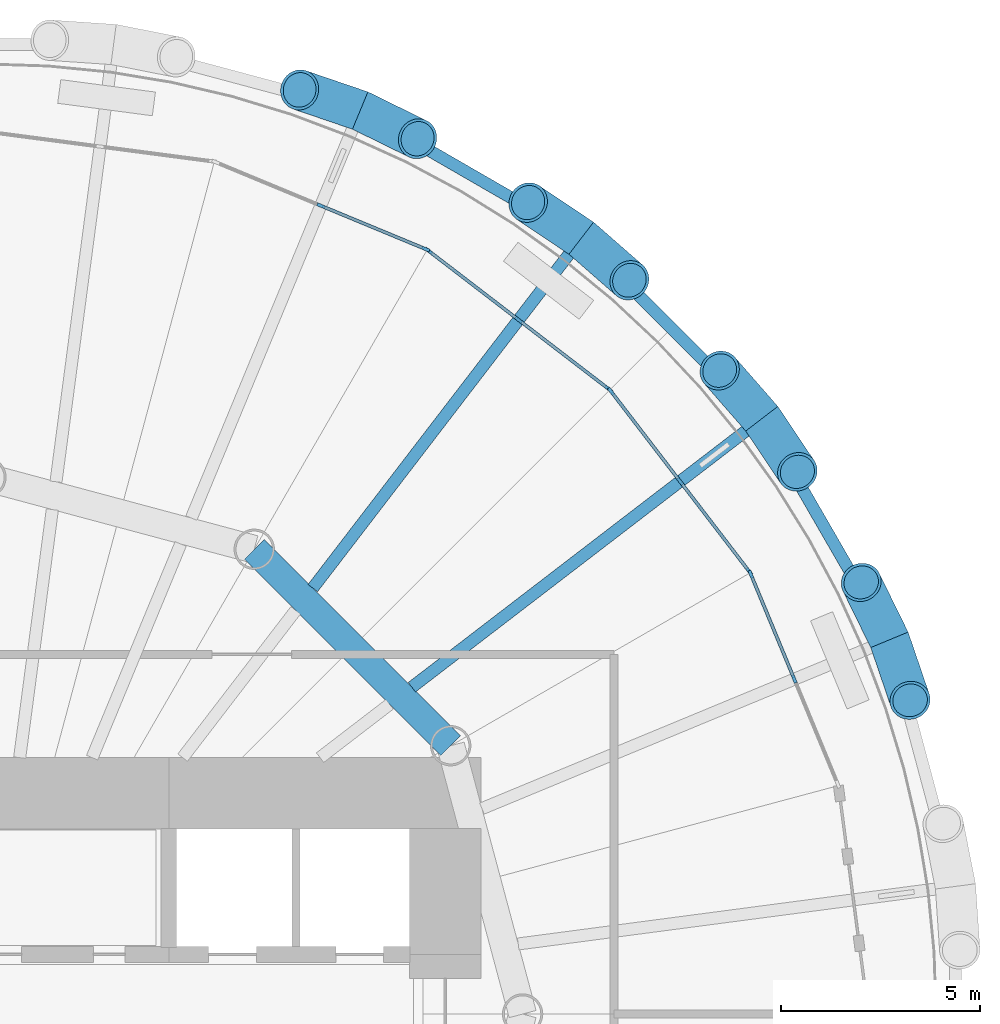
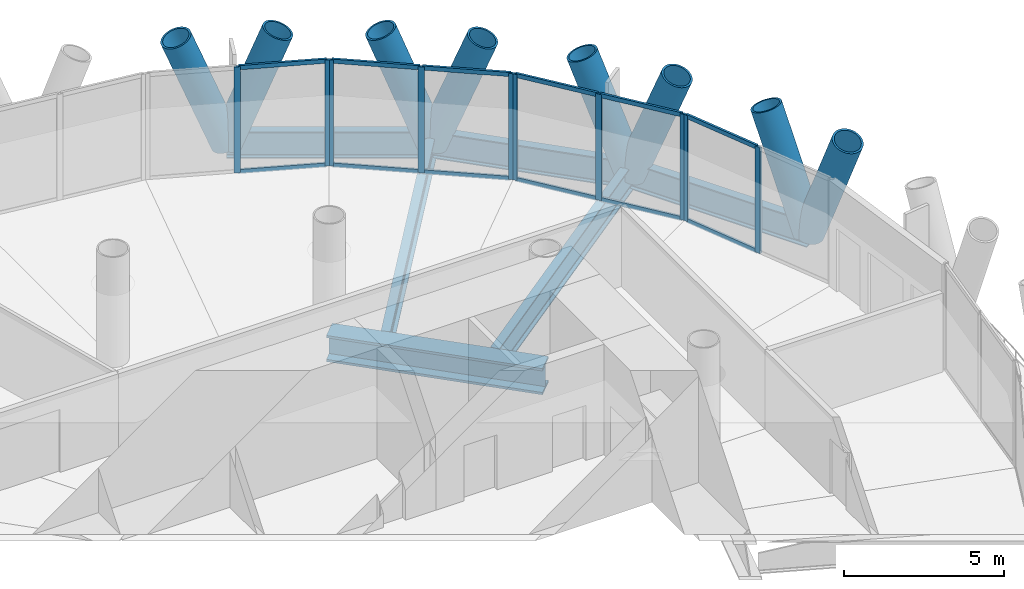
# One storey, part 6 of 14: 30 members, 6 beams, 4 elements without a shape of their own.
"""IFC4 building model written with IfcOpenShell, lengths in metres."""

from ifc_helpers import new_model, si_unit, direction, frame, origin, origin_2d, place, context, subcontext, project, spatial, rectangle, hollow_circle, i_section, extrude, material, material_profile, profile_set, type_object, element, aggregate, save


model = new_model("IFC4")

# Units and contexts
model_context = context("Model", 3, precision=1e-05, world=origin(), true_north=direction((0.0, 1.0)))
body_context = subcontext(model_context, "Body", "Model", "MODEL_VIEW")
ifc_project = project(units=[si_unit("LENGTHUNIT", "METRE"), si_unit("AREAUNIT", "SQUARE_METRE"), si_unit("VOLUMEUNIT", "CUBIC_METRE"), si_unit("PLANEANGLEUNIT", "RADIAN"), si_unit("MASSUNIT", "GRAM", prefix="KILO")], contexts=[model_context])

# Site, building, storey
site_placement = place(None, origin())
site = spatial("IfcSite", under=ifc_project, at=site_placement, CompositionType="ELEMENT")
building_placement = place(site_placement, origin())
building = spatial("IfcBuilding", under=site, at=building_placement, Name="Qaws Media Tower", CompositionType="ELEMENT")
storey_placement = place(building_placement, frame((0.0, 0.0, 168.800048828125)))
storey = spatial("IfcBuildingStorey", under=building, at=storey_placement, Name="L38", CompositionType="ELEMENT", Elevation=168.800048828125)

# Curtain wall, members
ifc_material_1 = material(Name="Aluminium and clear glass", Category="aluminium")
curtain_wall_type = type_object("IfcCurtainWallType", Name="Unitised curtain wall CW-B", PredefinedType="NOTDEFINED", material=ifc_material_1)
curtain_wall_1_placement = place(storey_placement, origin())
curtain_wall_1 = element("IfcCurtainWall", 1, at=curtain_wall_1_placement, inside=storey, type_object=curtain_wall_type, Name="CWB curtain wall L38-02", PredefinedType="NOTDEFINED")
ifc_material_2 = material(Name="Aluminium mullion", Category="aluminium")
ifc_material_profile_1 = material_profile(ifc_material_2, rectangle(XDim=0.080078125, YDim=0.199951171875, at=origin_2d()), Name="80x200")
ifc_profile_set_1 = profile_set([ifc_material_profile_1], Name="Aluminium mullion")
member_type_1 = type_object("IfcMemberType", Name="Curtain wall mullion 80x200", PredefinedType="MULLION", material=ifc_profile_set_1)
member_1_placement = place(storey_placement, frame((80.334716796875, 58.4228515625, 0.0), z_axis=(0.0, 0.0, 1.0), x_axis=(-0.923879550645, -0.382683388586, 0.0)))
member_1 = element("IfcMember", 2, at=member_1_placement, type_object=member_type_1, Name="CWB mullion 2", PredefinedType="MULLION", context=body_context, shape_type="SweptSolid", body=[
    extrude(rectangle(XDim=0.080078125, YDim=0.199951171875, at=origin_2d()), origin(), (0.0, 0.0, 1.0), 4.0400390625),
])
member_2_placement = place(storey_placement, frame((79.240966796875, 61.06298828125, 0.0), z_axis=(0.0, 0.0, 1.0), x_axis=(-0.923879550645, -0.382683388586, 0.0)))
member_2 = element("IfcMember", 3, at=member_2_placement, type_object=member_type_1, Name="CWB mullion 3", PredefinedType="MULLION", context=body_context, shape_type="SweptSolid", body=[
    extrude(rectangle(XDim=0.080078125, YDim=0.199951171875, at=origin_2d()), origin(), (0.0, 0.0, 1.0), 4.0400390625),
])

curtain_wall_2_placement = place(storey_placement, origin())
curtain_wall_2 = element("IfcCurtainWall", 4, at=curtain_wall_2_placement, inside=storey, type_object=curtain_wall_type, Name="CWB curtain wall L38-03", PredefinedType="NOTDEFINED")
member_3_placement = place(storey_placement, frame((79.201416015625, 61.1318359375, 0.0), z_axis=(0.0, 0.0, 1.0), x_axis=(-0.793353404699, -0.60876134507, 0.0)))
member_3 = element("IfcMember", 5, at=member_3_placement, type_object=member_type_1, Name="CWB mullion 1", PredefinedType="MULLION", context=body_context, shape_type="SweptSolid", body=[
    extrude(rectangle(XDim=0.080078125, YDim=0.199951171875, at=origin_2d()), origin(), (0.0, 0.0, 1.0), 4.0400390625),
])
member_4_placement = place(storey_placement, frame((77.461669921875, 63.39892578125, 0.0), z_axis=(0.0, 0.0, 1.0), x_axis=(-0.793353404699, -0.60876134507, 0.0)))
member_4 = element("IfcMember", 6, at=member_4_placement, type_object=member_type_1, Name="CWB mullion 2", PredefinedType="MULLION", context=body_context, shape_type="SweptSolid", body=[
    extrude(rectangle(XDim=0.080078125, YDim=0.199951171875, at=origin_2d()), origin(), (0.0, 0.0, 1.0), 4.0400390625),
])
member_5_placement = place(storey_placement, frame((75.72216796875, 65.666015625, 0.0), z_axis=(0.0, 0.0, 1.0), x_axis=(-0.793353404699, -0.60876134507, 0.0)))
member_5 = element("IfcMember", 7, at=member_5_placement, type_object=member_type_1, Name="CWB mullion 3", PredefinedType="MULLION", context=body_context, shape_type="SweptSolid", body=[
    extrude(rectangle(XDim=0.080078125, YDim=0.199951171875, at=origin_2d()), origin(), (0.0, 0.0, 1.0), 4.0400390625),
])

curtain_wall_3_placement = place(storey_placement, origin())
curtain_wall_3 = element("IfcCurtainWall", 8, at=curtain_wall_3_placement, inside=storey, type_object=curtain_wall_type, Name="CWB curtain wall L38-04", PredefinedType="NOTDEFINED")
member_6_placement = place(storey_placement, frame((75.666015625, 65.72216796875, 0.0), z_axis=(0.0, 0.0, 1.0), x_axis=(-0.60876134507, -0.793353404699, 0.0)))
member_6 = element("IfcMember", 9, at=member_6_placement, type_object=member_type_1, Name="CWB mullion 1", PredefinedType="MULLION", context=body_context, shape_type="SweptSolid", body=[
    extrude(rectangle(XDim=0.080078125, YDim=0.199951171875, at=origin_2d()), origin(), (0.0, 0.0, 1.0), 4.0400390625),
])
member_7_placement = place(storey_placement, frame((73.39892578125, 67.461669921875, 0.0), z_axis=(0.0, 0.0, 1.0), x_axis=(-0.60876134507, -0.793353404699, 0.0)))
member_7 = element("IfcMember", 10, at=member_7_placement, type_object=member_type_1, Name="CWB mullion 2", PredefinedType="MULLION", context=body_context, shape_type="SweptSolid", body=[
    extrude(rectangle(XDim=0.080078125, YDim=0.199951171875, at=origin_2d()), origin(), (0.0, 0.0, 1.0), 4.0400390625),
])
member_8_placement = place(storey_placement, frame((71.1318359375, 69.201416015625, 0.0), z_axis=(0.0, 0.0, 1.0), x_axis=(-0.60876134507, -0.793353404699, 0.0)))
member_8 = element("IfcMember", 11, at=member_8_placement, type_object=member_type_1, Name="CWB mullion 3", PredefinedType="MULLION", context=body_context, shape_type="SweptSolid", body=[
    extrude(rectangle(XDim=0.080078125, YDim=0.199951171875, at=origin_2d()), origin(), (0.0, 0.0, 1.0), 4.0400390625),
])

curtain_wall_4_placement = place(storey_placement, origin())
curtain_wall_4 = element("IfcCurtainWall", 12, at=curtain_wall_4_placement, inside=storey, type_object=curtain_wall_type, Name="CWB curtain wall L38-05", PredefinedType="NOTDEFINED")
member_9_placement = place(storey_placement, frame((71.06298828125, 69.240966796875, 0.0), z_axis=(0.0, 0.0, 1.0), x_axis=(-0.382683388586, -0.923879550645, 0.0)))
member_9 = element("IfcMember", 13, at=member_9_placement, type_object=member_type_1, Name="CWB mullion 1", PredefinedType="MULLION", context=body_context, shape_type="SweptSolid", body=[
    extrude(rectangle(XDim=0.080078125, YDim=0.199951171875, at=origin_2d()), origin(), (0.0, 0.0, 1.0), 4.0400390625),
])
member_10_placement = place(storey_placement, frame((68.4228515625, 70.334716796875, 0.0), z_axis=(0.0, 0.0, 1.0), x_axis=(-0.382683388586, -0.923879550645, 0.0)))
member_10 = element("IfcMember", 14, at=member_10_placement, type_object=member_type_1, Name="CWB mullion 2", PredefinedType="MULLION", context=body_context, shape_type="SweptSolid", body=[
    extrude(rectangle(XDim=0.080078125, YDim=0.199951171875, at=origin_2d()), origin(), (0.0, 0.0, 1.0), 4.0400390625),
])

# Member
ifc_material_3 = material(Name="Aluminium transom", Category="aluminium")
ifc_material_profile_2 = material_profile(ifc_material_3, rectangle(XDim=0.080078125, YDim=0.159912109375, at=origin_2d()), Name="80x160")
ifc_profile_set_2 = profile_set([ifc_material_profile_2], Name="Aluminium transom")
member_type_2 = type_object("IfcMemberType", Name="Curtain wall transom 80x160", PredefinedType="USERDEFINED", material=ifc_profile_set_2)
member_11_placement = place(storey_placement, frame((80.3193359375, 58.4599609375, 0.0400390625), z_axis=(-0.382698530546, 0.923873278495, 0.0), x_axis=(-0.923873278495, -0.382698530546, 0.0)))
member_11 = element("IfcMember", 15, at=member_11_placement, type_object=member_type_2, Name="CWB transom 2.1", ObjectType="TRANSOM", PredefinedType="USERDEFINED", context=body_context, shape_type="SweptSolid", body=[
    extrude(rectangle(XDim=0.080078125, YDim=0.159912109375, at=origin_2d()), origin(), (0.0, 0.0, 1.0), 2.777587890625),
])

member_12_placement = place(storey_placement, frame((80.3193359375, 58.4599609375, 4.0), z_axis=(-0.382698530546, 0.923873278495, 0.0), x_axis=(-0.923873278495, -0.382698530546, 0.0)))
member_12 = element("IfcMember", 16, at=member_12_placement, type_object=member_type_2, Name="CWB transom 2.2", ObjectType="TRANSOM", PredefinedType="USERDEFINED", context=body_context, shape_type="SweptSolid", body=[
    extrude(rectangle(XDim=0.080078125, YDim=0.159912109375, at=origin_2d()), origin(), (0.0, 0.0, 1.0), 2.777587890625),
])

aggregate(curtain_wall_1, [member_1, member_2, member_11, member_12])

member_13_placement = place(storey_placement, frame((79.177001953125, 61.16357421875, 0.0400390625), z_axis=(-0.608767326735, 0.793348814772, 0.0), x_axis=(-0.793348814772, -0.608767326735, 0.0)))
member_13 = element("IfcMember", 17, at=member_13_placement, type_object=member_type_2, Name="CWB transom 1.1", ObjectType="TRANSOM", PredefinedType="USERDEFINED", context=body_context, shape_type="SweptSolid", body=[
    extrude(rectangle(XDim=0.080078125, YDim=0.159912109375, at=origin_2d()), origin(), (0.0, 0.0, 1.0), 2.777587890625),
])

member_14_placement = place(storey_placement, frame((79.177001953125, 61.16357421875, 4.0), z_axis=(-0.608767326735, 0.793348814772, 0.0), x_axis=(-0.793348814772, -0.608767326735, 0.0)))
member_14 = element("IfcMember", 18, at=member_14_placement, type_object=member_type_2, Name="CWB transom 1.2", ObjectType="TRANSOM", PredefinedType="USERDEFINED", context=body_context, shape_type="SweptSolid", body=[
    extrude(rectangle(XDim=0.080078125, YDim=0.159912109375, at=origin_2d()), origin(), (0.0, 0.0, 1.0), 2.777587890625),
])

member_15_placement = place(storey_placement, frame((77.4375, 63.4306640625, 0.0400390625), z_axis=(-0.608767326735, 0.793348814772, 0.0), x_axis=(-0.793348814772, -0.608767326735, 0.0)))
member_15 = element("IfcMember", 19, at=member_15_placement, type_object=member_type_2, Name="CWB transom 2.1", ObjectType="TRANSOM", PredefinedType="USERDEFINED", context=body_context, shape_type="SweptSolid", body=[
    extrude(rectangle(XDim=0.080078125, YDim=0.159912109375, at=origin_2d()), origin(), (0.0, 0.0, 1.0), 2.777587890625),
])

member_16_placement = place(storey_placement, frame((77.4375, 63.4306640625, 4.0), z_axis=(-0.608767326735, 0.793348814772, 0.0), x_axis=(-0.793348814772, -0.608767326735, 0.0)))
member_16 = element("IfcMember", 20, at=member_16_placement, type_object=member_type_2, Name="CWB transom 2.2", ObjectType="TRANSOM", PredefinedType="USERDEFINED", context=body_context, shape_type="SweptSolid", body=[
    extrude(rectangle(XDim=0.080078125, YDim=0.159912109375, at=origin_2d()), origin(), (0.0, 0.0, 1.0), 2.777587890625),
])

aggregate(curtain_wall_2, [member_3, member_4, member_5, member_13, member_14, member_15, member_16])

member_17_placement = place(storey_placement, frame((75.63427734375, 65.74658203125, 0.0400390625), z_axis=(-0.793348814772, 0.608767326735, 0.0), x_axis=(-0.608767326735, -0.793348814772, 0.0)))
member_17 = element("IfcMember", 21, at=member_17_placement, type_object=member_type_2, Name="CWB transom 1.1", ObjectType="TRANSOM", PredefinedType="USERDEFINED", context=body_context, shape_type="SweptSolid", body=[
    extrude(rectangle(XDim=0.080078125, YDim=0.159912109375, at=origin_2d()), origin(), (0.0, 0.0, 1.0), 2.777587890625),
])

member_18_placement = place(storey_placement, frame((75.63427734375, 65.74658203125, 4.0), z_axis=(-0.793348814772, 0.608767326735, 0.0), x_axis=(-0.608767326735, -0.793348814772, 0.0)))
member_18 = element("IfcMember", 22, at=member_18_placement, type_object=member_type_2, Name="CWB transom 1.2", ObjectType="TRANSOM", PredefinedType="USERDEFINED", context=body_context, shape_type="SweptSolid", body=[
    extrude(rectangle(XDim=0.080078125, YDim=0.159912109375, at=origin_2d()), origin(), (0.0, 0.0, 1.0), 2.777587890625),
])

member_19_placement = place(storey_placement, frame((73.3671875, 67.486083984375, 0.0400390625), z_axis=(-0.793348814772, 0.608767326735, 0.0), x_axis=(-0.608767326735, -0.793348814772, 0.0)))
member_19 = element("IfcMember", 23, at=member_19_placement, type_object=member_type_2, Name="CWB transom 2.1", ObjectType="TRANSOM", PredefinedType="USERDEFINED", context=body_context, shape_type="SweptSolid", body=[
    extrude(rectangle(XDim=0.080078125, YDim=0.159912109375, at=origin_2d()), origin(), (0.0, 0.0, 1.0), 2.777587890625),
])

member_20_placement = place(storey_placement, frame((73.3671875, 67.486083984375, 4.0), z_axis=(-0.793348814772, 0.608767326735, 0.0), x_axis=(-0.608767326735, -0.793348814772, 0.0)))
member_20 = element("IfcMember", 24, at=member_20_placement, type_object=member_type_2, Name="CWB transom 2.2", ObjectType="TRANSOM", PredefinedType="USERDEFINED", context=body_context, shape_type="SweptSolid", body=[
    extrude(rectangle(XDim=0.080078125, YDim=0.159912109375, at=origin_2d()), origin(), (0.0, 0.0, 1.0), 2.777587890625),
])

aggregate(curtain_wall_3, [member_6, member_7, member_8, member_17, member_18, member_19, member_20])

member_21_placement = place(storey_placement, frame((71.026123046875, 69.25634765625, 0.0400390625), z_axis=(-0.923873278495, 0.382698530546, 0.0), x_axis=(-0.382698530546, -0.923873278495, 0.0)))
member_21 = element("IfcMember", 25, at=member_21_placement, type_object=member_type_2, Name="CWB transom 1.1", ObjectType="TRANSOM", PredefinedType="USERDEFINED", context=body_context, shape_type="SweptSolid", body=[
    extrude(rectangle(XDim=0.080078125, YDim=0.159912109375, at=origin_2d()), origin(), (0.0, 0.0, 1.0), 2.777587890625),
])

member_22_placement = place(storey_placement, frame((71.026123046875, 69.25634765625, 4.0), z_axis=(-0.923873278495, 0.382698530546, 0.0), x_axis=(-0.382698530546, -0.923873278495, 0.0)))
member_22 = element("IfcMember", 26, at=member_22_placement, type_object=member_type_2, Name="CWB transom 1.2", ObjectType="TRANSOM", PredefinedType="USERDEFINED", context=body_context, shape_type="SweptSolid", body=[
    extrude(rectangle(XDim=0.080078125, YDim=0.159912109375, at=origin_2d()), origin(), (0.0, 0.0, 1.0), 2.777587890625),
])

aggregate(curtain_wall_4, [member_9, member_10, member_21, member_22])

# Members
ifc_material_4 = material(Name="Steel S460", Category="steel")
ifc_material_profile_3 = material_profile(ifc_material_4, hollow_circle(Radius=0.508056640625, WallThickness=0.070068359375, at=origin_2d()), Name="CHS 1016x70")
ifc_profile_set_3 = profile_set([ifc_material_profile_3], Name="Steel S460")
member_type_3 = type_object("IfcMemberType", Name="Diagrid member CHS 1016x70", PredefinedType="USERDEFINED", material=ifc_profile_set_3)
for number, where, z_axis, x_axis, name in (
    (27, (82.7275390625, 59.4140625, -0.6640625), (-0.157692035338, 0.321083782797, 0.933829977253), (-0.897591197421, -0.440828812934, 0.0), "DG3 diagrid L38 A02"),
    (28, (82.7275390625, 59.4140625, -0.6640625), (0.115513773701, -0.338561751209, 0.93382680873), (0.946429054791, 0.322911821163, 0.0), "DG3 diagrid L38 B02"),
    (29, (79.5166015625, 64.9755859375, -0.6640625), (-0.235423600007, 0.269350219792, 0.933823424239), (-0.752933777217, -0.658096290163, 0.0), "DG3 diagrid L38 A03"),
    (30, (79.5166015625, 64.9755859375, -0.6640625), (0.19921635912, -0.297141784694, 0.933819898079), (0.830600138816, 0.556869292922, 0.0), "DG3 diagrid L38 B03"),
    (31, (74.9755859375, 69.5166015625, -0.6640625), (-0.297141784694, 0.19921635912, 0.933819898079), (-0.556869292922, -0.830600138816, 0.0), "DG3 diagrid L38 A04"),
    (32, (74.9755859375, 69.5166015625, -0.6640625), (0.269350219792, -0.235423600007, 0.933823424239), (0.658096290163, 0.752933777217, 0.0), "DG3 diagrid L38 B04"),
    (33, (69.4140625, 72.7275390625, -0.6640625), (-0.338561751209, 0.115513773701, 0.93382680873), (-0.322911821163, -0.946429054791, 0.0), "DG3 diagrid L38 A05"),
    (34, (69.4140625, 72.7275390625, -0.6640625), (0.321083782797, -0.157692035338, 0.933829977253), (0.440828812934, 0.897591197421, 0.0), "DG3 diagrid L38 B05"),
):
    element("IfcMember", number, at=place(storey_placement, frame(where, z_axis=z_axis, x_axis=x_axis)), inside=storey, type_object=member_type_3, Name=name, ObjectType="DIAGRID", PredefinedType="USERDEFINED", context=body_context, shape_type="SweptSolid", body=[
        extrude(hollow_circle(Radius=0.508056640625, WallThickness=0.070068359375, at=origin_2d()), origin(), (0.0, 0.0, 1.0), 4.49755859375),
    ])

# Beams
ifc_material_5 = material(Name="Steel S460", Category="steel")
ifc_material_profile_4 = material_profile(ifc_material_5, i_section(OverallWidth=0.302001953125, OverallDepth=1.008056640625, WebThickness=0.02099609375, FlangeThickness=0.0400390625, FilletRadius=0.030029296875, at=origin_2d()), Name="HE 1000 M")
ifc_profile_set_4 = profile_set([ifc_material_profile_4], Name="Steel S460")
beam_type_1 = type_object("IfcBeamType", Name="Edge ring beam HE 1000 M", PredefinedType="BEAM", material=ifc_profile_set_4)
for number, where, z_axis, x_axis, name in (
    (35, (82.7275390625, 59.4140625, -0.6640625), (-0.499998884236, 0.86602604797, 0.0), (-0.86602604797, -0.499998884236, 0.0), "RB3 edge ring beam L38-02"),
    (36, (79.5166015625, 64.9755859375, -0.6640625), (-0.707106781187, 0.707106781187, 0.0), (-0.707106781187, -0.707106781187, 0.0), "RB3 edge ring beam L38-03"),
    (37, (74.9755859375, 69.5166015625, -0.6640625), (-0.86602604797, 0.499998884236, 0.0), (-0.499998884236, -0.86602604797, 0.0), "RB3 edge ring beam L38-04"),
):
    element("IfcBeam", number, at=place(storey_placement, frame(where, z_axis=z_axis, x_axis=x_axis)), inside=storey, type_object=beam_type_1, Name=name, PredefinedType="BEAM", context=body_context, shape_type="SweptSolid", body=[
        extrude(i_section(OverallWidth=0.302001953125, OverallDepth=1.008056640625, WebThickness=0.02099609375, FlangeThickness=0.0400390625, FilletRadius=0.030029296875, at=origin_2d()), origin(), (0.0, 0.0, 1.0), 6.421875),
    ])
ifc_material_6 = material(Name="Steel S460", Category="steel")
ifc_material_profile_5 = material_profile(ifc_material_6, i_section(OverallWidth=0.699951171875, OverallDepth=1.0, WebThickness=0.034912109375, FlangeThickness=0.090087890625, at=origin_2d()), Name="PG 1000x700")
ifc_profile_set_5 = profile_set([ifc_material_profile_5], Name="Steel S460")
beam_type_2 = type_object("IfcBeamType", Name="Inner ring girder PG 1000x700", PredefinedType="BEAM", material=ifc_profile_set_5)
beam_placement = place(storey_placement, frame((71.69140625, 56.75, -0.66015625), z_axis=(-0.707106781187, 0.707106781187, 0.0), x_axis=(-0.707106781187, -0.707106781187, 0.0)))
element("IfcBeam", 38, at=beam_placement, inside=storey, type_object=beam_type_2, Name="B3 inner ring beam L38 I02-I03", PredefinedType="BEAM", context=body_context, shape_type="SweptSolid", body=[
    extrude(i_section(OverallWidth=0.699951171875, OverallDepth=1.0, WebThickness=0.034912109375, FlangeThickness=0.090087890625, at=origin_2d()), origin(), (0.0, 0.0, 1.0), 6.98828125),
])
ifc_material_7 = material(Name="Steel S355", Category="steel")
ifc_material_profile_6 = material_profile(ifc_material_7, i_section(OverallWidth=0.302001953125, OverallDepth=1.008056640625, WebThickness=0.02099609375, FlangeThickness=0.0400390625, FilletRadius=0.030029296875, at=origin_2d()), Name="HE 1000 M")
ifc_profile_set_6 = profile_set([ifc_material_profile_6], Name="Steel S355")
beam_type_3 = type_object("IfcBeamType", Name="Radial beam HE 1000 M", PredefinedType="BEAM", material=ifc_profile_set_6)
for number, where, z_axis, x_axis, name in (
    (39, (70.714599609375, 58.2216796875, -0.6640625), (0.793358015392, 0.60875533625, 0.0), (-0.60875533625, 0.793358015392, 0.0), "B1 radial beam L38 03"),
    (40, (68.2216796875, 60.714599609375, -0.6640625), (0.60875533625, 0.793358015392, 0.0), (-0.793358015392, 0.60875533625, 0.0), "B1 radial beam L38 04"),
):
    element("IfcBeam", number, at=place(storey_placement, frame(where, z_axis=z_axis, x_axis=x_axis)), inside=storey, type_object=beam_type_3, Name=name, PredefinedType="BEAM", context=body_context, shape_type="SweptSolid", body=[
        extrude(i_section(OverallWidth=0.302001953125, OverallDepth=1.008056640625, WebThickness=0.02099609375, FlangeThickness=0.0400390625, FilletRadius=0.030029296875, at=origin_2d()), origin(), (0.0, 0.0, 1.0), 11.0947265625),
    ])

save(model, "model.ifc")
